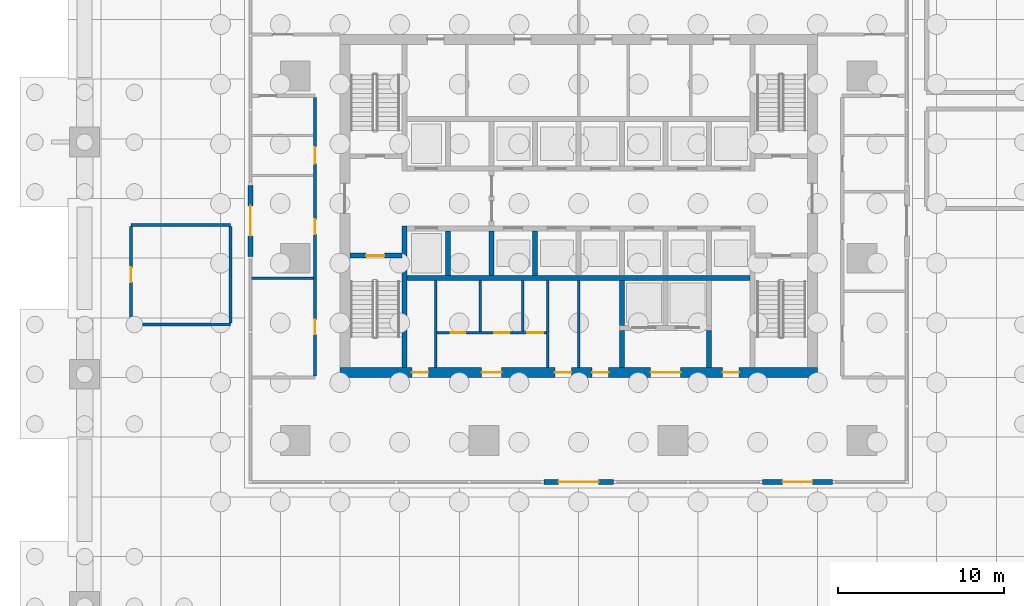
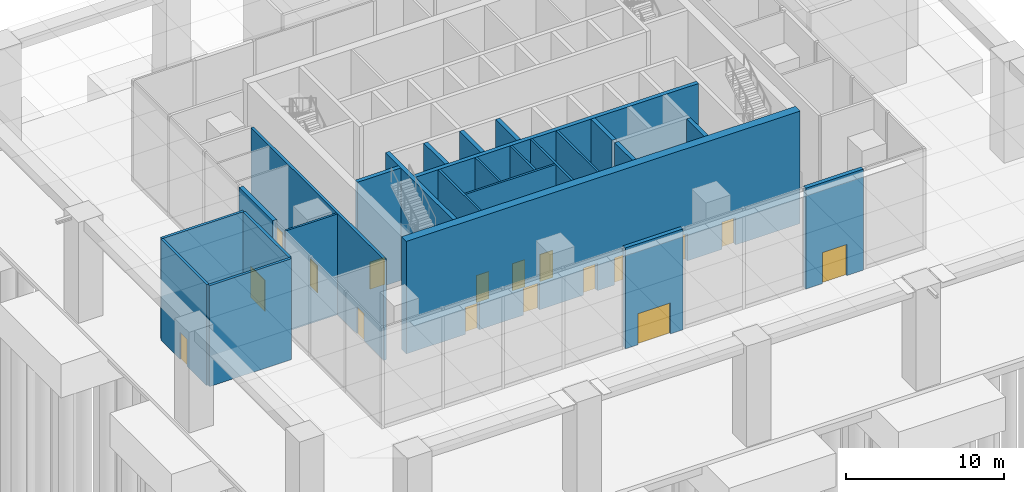
# One storey, part 6 of 18: 25 walls, 17 doors, 17 openings.
"""IFC4 building model written with IfcOpenShell, lengths in metres."""

from ifc_helpers import new_model, si_unit, direction, frame, frame_2d, origin, place, context, subcontext, project, spatial, rectangle, extrude, material, layer, layer_set, type_object, element, fill, save


model = new_model("IFC4")

# Units and contexts
model_context = context("Model", 3, precision=1e-05, world=origin(), true_north=direction((0.0, 1.0)))
body_context = subcontext(model_context, "Body", "Model", "MODEL_VIEW")
ifc_project = project(units=[si_unit("LENGTHUNIT", "METRE"), si_unit("AREAUNIT", "SQUARE_METRE"), si_unit("VOLUMEUNIT", "CUBIC_METRE"), si_unit("PLANEANGLEUNIT", "RADIAN"), si_unit("MASSUNIT", "GRAM", prefix="KILO")], contexts=[model_context])

# Site, building, storey
site_placement = place(None, origin())
site = spatial("IfcSite", under=ifc_project, at=site_placement, CompositionType="ELEMENT")
building_placement = place(site_placement, origin())
building = spatial("IfcBuilding", under=site, at=building_placement, Name="Mopane Tessera Tower", CompositionType="ELEMENT")
storey_placement = place(building_placement, origin())
storey = spatial("IfcBuildingStorey", under=building, at=storey_placement, Name="L00", CompositionType="ELEMENT", Elevation=0.0)

# Wall
ifc_material_1 = material(Name="Fire-rated gypsum board partition")
ifc_layer_1 = layer(ifc_material_1, 0.14990234375)
ifc_layer_set_1 = layer_set([ifc_layer_1], Name="Fire-rated gypsum board partition")
wall_type_1 = type_object("IfcWallType", Name="Core room partition 150 mm", PredefinedType="PARTITIONING", material=ifc_layer_set_1)
wall_1_placement = place(storey_placement, frame((-8.625, -6.60009765625, 0.0), z_axis=(0.0, 0.0, 1.0), x_axis=(0.0, 1.0, 0.0)))
element("IfcWall", 1, at=wall_1_placement, inside=storey, type_object=wall_type_1, Name="L00 Room partition", PredefinedType="PARTITIONING", context=body_context, shape_type="SweptSolid", body=[
    extrude(rectangle(XDim=5.25, YDim=0.14990234375, at=frame_2d((2.625, 0.0))), origin(), (0.0, 0.0, 1.0), 8.699951171875),
])

# Wall, openings, doors
wall_2_placement = place(storey_placement, frame((-8.550048828125, -4.5, 0.0), z_axis=(0.0, 0.0, 1.0), x_axis=(1.0, 0.0, 0.0)))
wall_2 = element("IfcWall", 2, at=wall_2_placement, inside=storey, type_object=wall_type_1, Name="L00 WC partition", PredefinedType="PARTITIONING", context=body_context, shape_type="SweptSolid", body=[
    extrude(rectangle(XDim=6.60009765625, YDim=0.14990234375, at=frame_2d((3.300048828125, 0.0))), origin(), (0.0, 0.0, 1.0), 8.699951171875),
])
opening_1_placement = place(wall_2_placement, frame((0.824951171875, 0.0, 0.0)))
opening_1 = element("IfcOpeningElement", 3, at=opening_1_placement, cuts=wall_2, Name="Opening WD1", PredefinedType="OPENING", context=body_context, shape_type="SweptSolid", body=[
    extrude(rectangle(XDim=0.89990234375, YDim=2.10009765625, at=frame_2d((0.449951171875, 1.050048828125))), frame((0.0, 0.0869140625, 0.0), z_axis=(0.0, -1.0, 0.0), x_axis=(1.0, 0.0, 0.0)), (0.0, 0.0, 1.0), 0.173828125),
])
opening_2_placement = place(wall_2_placement, frame((3.45751953125, 0.0, 0.0)))
opening_2 = element("IfcOpeningElement", 4, at=opening_2_placement, cuts=wall_2, Name="Opening WD1", PredefinedType="OPENING", context=body_context, shape_type="SweptSolid", body=[
    extrude(rectangle(XDim=0.89990234375, YDim=2.10009765625, at=frame_2d((0.449951171875, 1.050048828125))), frame((0.0, 0.0869140625, 0.0), z_axis=(0.0, -1.0, 0.0), x_axis=(1.0, 0.0, 0.0)), (0.0, 0.0, 1.0), 0.173828125),
])
opening_3_placement = place(wall_2_placement, frame((5.45751953125, 0.0, 0.0)))
opening_3 = element("IfcOpeningElement", 5, at=opening_3_placement, cuts=wall_2, Name="Opening WD2", PredefinedType="OPENING", context=body_context, shape_type="SweptSolid", body=[
    extrude(rectangle(XDim=0.949951171875, YDim=2.10009765625, at=frame_2d((0.47509765625, 1.050048828125))), frame((0.0, 0.0869140625, 0.0), z_axis=(0.0, -1.0, 0.0), x_axis=(1.0, 0.0, 0.0)), (0.0, 0.0, 1.0), 0.173828125),
])
ifc_material_2 = material(Name="Timber door", Category="wood")
door_type_1 = type_object("IfcDoorType", Name="Accessible WC door 950 x 2100", OperationType="SINGLE_SWING_LEFT", PredefinedType="DOOR", material=ifc_material_2)
door_1_placement = place(opening_3_placement, origin())
door_1 = element("IfcDoor", 6, at=door_1_placement, inside=storey, type_object=door_type_1, Name="L00 Accessible WC door", OperationType="SINGLE_SWING_LEFT", OverallHeight=2.10009765625, OverallWidth=0.949951171875, PredefinedType="DOOR", context=body_context, shape_type="SweptSolid", body=[
    extrude(rectangle(XDim=0.949951171875, YDim=2.10009765625, at=frame_2d((0.47509765625, 1.050048828125))), frame((0.0, 0.02490234375, 0.0), z_axis=(0.0, -1.0, 0.0), x_axis=(1.0, 0.0, 0.0)), (0.0, 0.0, 1.0), 0.050048828125),
])
fill(opening_3, door_1)
ifc_material_3 = material(Name="Timber door", Category="wood")
door_type_2 = type_object("IfcDoorType", Name="WC cubicle door 900 x 2100", OperationType="SINGLE_SWING_LEFT", PredefinedType="DOOR", material=ifc_material_3)
door_2_placement = place(opening_1_placement, origin())
door_2 = element("IfcDoor", 7, at=door_2_placement, inside=storey, type_object=door_type_2, Name="L00 Men's WC door", OperationType="SINGLE_SWING_LEFT", OverallHeight=2.10009765625, OverallWidth=0.89990234375, PredefinedType="DOOR", context=body_context, shape_type="SweptSolid", body=[
    extrude(rectangle(XDim=0.89990234375, YDim=2.10009765625, at=frame_2d((0.449951171875, 1.050048828125))), frame((0.0, 0.02490234375, 0.0), z_axis=(0.0, -1.0, 0.0), x_axis=(1.0, 0.0, 0.0)), (0.0, 0.0, 1.0), 0.050048828125),
])
fill(opening_1, door_2)
door_3_placement = place(opening_2_placement, origin())
door_3 = element("IfcDoor", 8, at=door_3_placement, inside=storey, type_object=door_type_2, Name="L00 Women's WC door", OperationType="SINGLE_SWING_LEFT", OverallHeight=2.10009765625, OverallWidth=0.89990234375, PredefinedType="DOOR", context=body_context, shape_type="SweptSolid", body=[
    extrude(rectangle(XDim=0.89990234375, YDim=2.10009765625, at=frame_2d((0.449951171875, 1.050048828125))), frame((0.0, 0.02490234375, 0.0), z_axis=(0.0, -1.0, 0.0), x_axis=(1.0, 0.0, 0.0)), (0.0, 0.0, 1.0), 0.050048828125),
])
fill(opening_2, door_3)

# Walls
for number, where, z_axis, x_axis, name in (
    (9, (-5.925048828125, -4.425048828125, 0.0), (0.0, 0.0, 1.0), (0.0, 1.0, 0.0), "L00 WC partition"),
    (10, (-3.360107421875, -4.425048828125, 0.0), (0.0, 0.0, 1.0), (0.0, 1.0, 0.0), "L00 WC partition"),
):
    element("IfcWall", number, at=place(storey_placement, frame(where, z_axis=z_axis, x_axis=x_axis)), inside=storey, type_object=wall_type_1, Name=name, PredefinedType="PARTITIONING", context=body_context, shape_type="SweptSolid", body=[
        extrude(rectangle(XDim=3.074951171875, YDim=0.14990234375, at=frame_2d((1.53759765625, 0.0))), origin(), (0.0, 0.0, 1.0), 8.699951171875),
    ])
for number, where, z_axis, x_axis, name in (
    (11, (-1.875, -6.60009765625, 0.0), (0.0, 0.0, 1.0), (0.0, 1.0, 0.0), "L00 Room partition"),
    (12, (0.0, -6.60009765625, 0.0), (0.0, 0.0, 1.0), (0.0, 1.0, 0.0), "L00 Room partition"),
):
    element("IfcWall", number, at=place(storey_placement, frame(where, z_axis=z_axis, x_axis=x_axis)), inside=storey, type_object=wall_type_1, Name=name, PredefinedType="PARTITIONING", context=body_context, shape_type="SweptSolid", body=[
        extrude(rectangle(XDim=5.25, YDim=0.14990234375, at=frame_2d((2.625, 0.0))), origin(), (0.0, 0.0, 1.0), 8.699951171875),
    ])

# Wall, openings, doors
ifc_material_4 = material(Name="Concrete C70/85", Category="concrete")
ifc_layer_2 = layer(ifc_material_4, 0.60009765625)
ifc_layer_set_2 = layer_set([ifc_layer_2], Name="Concrete C70/85")
wall_type_2 = type_object("IfcWallType", Name="Core shear wall 600 mm", PredefinedType="SHEAR", material=ifc_layer_set_2)
wall_3_placement = place(storey_placement, frame((-14.39990234375, -6.89990234375, 0.0), z_axis=(0.0, 0.0, 1.0), x_axis=(1.0, 0.0, 0.0)))
wall_3 = element("IfcWall", 13, at=wall_3_placement, inside=storey, type_object=wall_type_2, Name="L00 Core wall south", PredefinedType="SHEAR", context=body_context, shape_type="SweptSolid", body=[
    extrude(rectangle(XDim=28.7998046875, YDim=0.60009765625, at=frame_2d((14.39990234375, 0.0))), origin(), (0.0, 0.0, 1.0), 8.699951171875),
])
opening_4_placement = place(wall_3_placement, frame((4.33740234375, 0.0, 0.0)))
opening_4 = element("IfcOpeningElement", 14, at=opening_4_placement, cuts=wall_3, Name="Opening RD1", PredefinedType="OPENING", context=body_context, shape_type="SweptSolid", body=[
    extrude(rectangle(XDim=1.0, YDim=2.10009765625, at=frame_2d((0.5, 1.050048828125))), frame((0.0, 0.31201171875, 0.0), z_axis=(0.0, -1.0, 0.0), x_axis=(1.0, 0.0, 0.0)), (0.0, 0.0, 1.0), 0.6240234375),
])
opening_5_placement = place(wall_3_placement, frame((8.550048828125, 0.0, 0.0)))
opening_5 = element("IfcOpeningElement", 15, at=opening_5_placement, cuts=wall_3, Name="Opening WD3", PredefinedType="OPENING", context=body_context, shape_type="SweptSolid", body=[
    extrude(rectangle(XDim=1.199951171875, YDim=2.10009765625, at=frame_2d((0.60009765625, 1.050048828125))), frame((0.0, 0.31201171875, 0.0), z_axis=(0.0, -1.0, 0.0), x_axis=(1.0, 0.0, 0.0)), (0.0, 0.0, 1.0), 0.6240234375),
])
opening_6_placement = place(wall_3_placement, frame((12.96240234375, 0.0, 0.0)))
opening_6 = element("IfcOpeningElement", 16, at=opening_6_placement, cuts=wall_3, Name="Opening RD1", PredefinedType="OPENING", context=body_context, shape_type="SweptSolid", body=[
    extrude(rectangle(XDim=1.0, YDim=2.10009765625, at=frame_2d((0.5, 1.050048828125))), frame((0.0, 0.31201171875, 0.0), z_axis=(0.0, -1.0, 0.0), x_axis=(1.0, 0.0, 0.0)), (0.0, 0.0, 1.0), 0.6240234375),
])
opening_7_placement = place(wall_3_placement, frame((15.21240234375, 0.0, 0.0)))
opening_7 = element("IfcOpeningElement", 17, at=opening_7_placement, cuts=wall_3, Name="Opening RD1", PredefinedType="OPENING", context=body_context, shape_type="SweptSolid", body=[
    extrude(rectangle(XDim=1.0, YDim=2.10009765625, at=frame_2d((0.5, 1.050048828125))), frame((0.0, 0.31201171875, 0.0), z_axis=(0.0, -1.0, 0.0), x_axis=(1.0, 0.0, 0.0)), (0.0, 0.0, 1.0), 0.6240234375),
])
opening_8_placement = place(wall_3_placement, frame((18.75, 0.0, 0.0)))
opening_8 = element("IfcOpeningElement", 18, at=opening_8_placement, cuts=wall_3, Name="Opening SD2", PredefinedType="OPENING", context=body_context, shape_type="SweptSolid", body=[
    extrude(rectangle(XDim=1.800048828125, YDim=2.10009765625, at=frame_2d((0.89990234375, 1.050048828125))), frame((0.0, 0.31201171875, 0.0), z_axis=(0.0, -1.0, 0.0), x_axis=(1.0, 0.0, 0.0)), (0.0, 0.0, 1.0), 0.6240234375),
])
opening_9_placement = place(wall_3_placement, frame((23.08740234375, 0.0, 0.0)))
opening_9 = element("IfcOpeningElement", 19, at=opening_9_placement, cuts=wall_3, Name="Opening RD1", PredefinedType="OPENING", context=body_context, shape_type="SweptSolid", body=[
    extrude(rectangle(XDim=1.0, YDim=2.10009765625, at=frame_2d((0.5, 1.050048828125))), frame((0.0, 0.31201171875, 0.0), z_axis=(0.0, -1.0, 0.0), x_axis=(1.0, 0.0, 0.0)), (0.0, 0.0, 1.0), 0.6240234375),
])
ifc_material_5 = material(Name="Steel fire door", Category="steel")
door_type_3 = type_object("IfcDoorType", Name="Core entrance double door 1800 x 2100", OperationType="DOUBLE_DOOR_SINGLE_SWING", PredefinedType="DOOR", material=ifc_material_5)
door_4_placement = place(opening_8_placement, origin())
door_4 = element("IfcDoor", 20, at=door_4_placement, inside=storey, type_object=door_type_3, Name="L00 Service lobby door", OperationType="DOUBLE_DOOR_SINGLE_SWING", OverallHeight=2.10009765625, OverallWidth=1.800048828125, PredefinedType="DOOR", context=body_context, shape_type="SweptSolid", body=[
    extrude(rectangle(XDim=1.800048828125, YDim=2.10009765625, at=frame_2d((0.89990234375, 1.050048828125))), frame((0.0, 0.02490234375, 0.0), z_axis=(0.0, -1.0, 0.0), x_axis=(1.0, 0.0, 0.0)), (0.0, 0.0, 1.0), 0.050048828125),
])
fill(opening_8, door_4)
ifc_material_6 = material(Name="Timber door", Category="wood")
door_type_4 = type_object("IfcDoorType", Name="Core room door 1000 x 2100", OperationType="SINGLE_SWING_LEFT", PredefinedType="DOOR", material=ifc_material_6)
door_5_placement = place(opening_4_placement, origin())
door_5 = element("IfcDoor", 21, at=door_5_placement, inside=storey, type_object=door_type_4, Name="L00 Room door", OperationType="SINGLE_SWING_LEFT", OverallHeight=2.10009765625, OverallWidth=1.0, PredefinedType="DOOR", context=body_context, shape_type="SweptSolid", body=[
    extrude(rectangle(XDim=1.0, YDim=2.10009765625, at=frame_2d((0.5, 1.050048828125))), frame((0.0, 0.02490234375, 0.0), z_axis=(0.0, -1.0, 0.0), x_axis=(1.0, 0.0, 0.0)), (0.0, 0.0, 1.0), 0.050048828125),
])
fill(opening_4, door_5)
door_6_placement = place(opening_6_placement, origin())
door_6 = element("IfcDoor", 22, at=door_6_placement, inside=storey, type_object=door_type_4, Name="L00 Room door", OperationType="SINGLE_SWING_LEFT", OverallHeight=2.10009765625, OverallWidth=1.0, PredefinedType="DOOR", context=body_context, shape_type="SweptSolid", body=[
    extrude(rectangle(XDim=1.0, YDim=2.10009765625, at=frame_2d((0.5, 1.050048828125))), frame((0.0, 0.02490234375, 0.0), z_axis=(0.0, -1.0, 0.0), x_axis=(1.0, 0.0, 0.0)), (0.0, 0.0, 1.0), 0.050048828125),
])
fill(opening_6, door_6)
door_7_placement = place(opening_7_placement, origin())
door_7 = element("IfcDoor", 23, at=door_7_placement, inside=storey, type_object=door_type_4, Name="L00 Room door", OperationType="SINGLE_SWING_LEFT", OverallHeight=2.10009765625, OverallWidth=1.0, PredefinedType="DOOR", context=body_context, shape_type="SweptSolid", body=[
    extrude(rectangle(XDim=1.0, YDim=2.10009765625, at=frame_2d((0.5, 1.050048828125))), frame((0.0, 0.02490234375, 0.0), z_axis=(0.0, -1.0, 0.0), x_axis=(1.0, 0.0, 0.0)), (0.0, 0.0, 1.0), 0.050048828125),
])
fill(opening_7, door_7)
door_8_placement = place(opening_9_placement, origin())
door_8 = element("IfcDoor", 24, at=door_8_placement, inside=storey, type_object=door_type_4, Name="L00 Room door", OperationType="SINGLE_SWING_LEFT", OverallHeight=2.10009765625, OverallWidth=1.0, PredefinedType="DOOR", context=body_context, shape_type="SweptSolid", body=[
    extrude(rectangle(XDim=1.0, YDim=2.10009765625, at=frame_2d((0.5, 1.050048828125))), frame((0.0, 0.02490234375, 0.0), z_axis=(0.0, -1.0, 0.0), x_axis=(1.0, 0.0, 0.0)), (0.0, 0.0, 1.0), 0.050048828125),
])
fill(opening_9, door_8)
ifc_material_7 = material(Name="Timber door", Category="wood")
door_type_5 = type_object("IfcDoorType", Name="WC lobby door 1200 x 2100", OperationType="SINGLE_SWING_LEFT", PredefinedType="DOOR", material=ifc_material_7)
door_9_placement = place(opening_5_placement, origin())
door_9 = element("IfcDoor", 25, at=door_9_placement, inside=storey, type_object=door_type_5, Name="L00 WC lobby door", OperationType="SINGLE_SWING_LEFT", OverallHeight=2.10009765625, OverallWidth=1.199951171875, PredefinedType="DOOR", context=body_context, shape_type="SweptSolid", body=[
    extrude(rectangle(XDim=1.199951171875, YDim=2.10009765625, at=frame_2d((0.60009765625, 1.050048828125))), frame((0.0, 0.02490234375, 0.0), z_axis=(0.0, -1.0, 0.0), x_axis=(1.0, 0.0, 0.0)), (0.0, 0.0, 1.0), 0.050048828125),
])
fill(opening_5, door_9)

# Walls
ifc_material_8 = material(Name="Concrete C60/75", Category="concrete")
ifc_layer_3 = layer(ifc_material_8, 0.300048828125)
ifc_layer_set_3 = layer_set([ifc_layer_3], Name="Concrete C60/75")
wall_type_3 = type_object("IfcWallType", Name="Core spine wall 300 mm", PredefinedType="SHEAR", material=ifc_layer_set_3)
wall_4_placement = place(storey_placement, frame((-10.5, -6.60009765625, 0.0), z_axis=(0.0, 0.0, 1.0), x_axis=(0.0, 1.0, 0.0)))
element("IfcWall", 26, at=wall_4_placement, inside=storey, type_object=wall_type_3, Name="L00 Core spine wall", PredefinedType="SHEAR", context=body_context, shape_type="SweptSolid", body=[
    extrude(rectangle(XDim=8.550048828125, YDim=0.300048828125, at=frame_2d((4.27490234375, 0.0))), origin(), (0.0, 0.0, 1.0), 8.699951171875),
])
ifc_material_9 = material(Name="Gypsum board on steel studs, two layers each face, mineral wool infill", Category="steel")
ifc_layer_4 = layer(ifc_material_9, 0.199951171875)
ifc_layer_set_4 = layer_set([ifc_layer_4], Name="Gypsum board on steel studs, two layers each face, mineral wool infill")
wall_type_4 = type_object("IfcWallType", Name="Gypsum board corridor wall 200, rated EI 60", PredefinedType="PARTITIONING", material=ifc_layer_set_4)
for number, where, z_axis, x_axis, name in (
    (27, (-27.0, -4.0, 0.0), (0.0, 0.0, 1.0), (1.0, 0.0, 0.0), "Partition L00:002"),
    (28, (-27.0, 2.0, 0.0), (0.0, 0.0, 1.0), (1.0, 0.0, 0.0), "Partition L00:005"),
):
    element("IfcWall", number, at=place(storey_placement, frame(where, z_axis=z_axis, x_axis=x_axis)), inside=storey, type_object=wall_type_4, Name=name, PredefinedType="PARTITIONING", context=body_context, shape_type="SweptSolid", body=[
        extrude(rectangle(XDim=6.0, YDim=0.199951171875, at=frame_2d((3.0, 0.0))), origin(), (0.0, 0.0, 1.0), 7.800048828125),
    ])

# Wall, opening, door
wall_5_placement = place(storey_placement, frame((-27.0, -3.89990234375, 0.0), z_axis=(0.0, 0.0, 1.0), x_axis=(0.0, 1.0, 0.0)))
wall_5 = element("IfcWall", 29, at=wall_5_placement, inside=storey, type_object=wall_type_4, Name="Partition L00:020", PredefinedType="PARTITIONING", context=body_context, shape_type="SweptSolid", body=[
    extrude(rectangle(XDim=5.7998046875, YDim=0.199951171875, at=frame_2d((2.89990234375, 0.0))), origin(), (0.0, 0.0, 1.0), 7.800048828125),
])
opening_10_placement = place(wall_5_placement, frame((2.449951171875, 0.0, 0.0)))
opening_10 = element("IfcOpeningElement", 30, at=opening_10_placement, cuts=wall_5, Name="Opening L00-06", PredefinedType="OPENING", context=body_context, shape_type="SweptSolid", body=[
    extrude(rectangle(XDim=0.89990234375, YDim=2.10009765625, at=frame_2d((0.449951171875, 1.050048828125))), frame((0.0, 0.112060546875, 0.0), z_axis=(0.0, -1.0, 0.0), x_axis=(1.0, 0.0, 0.0)), (0.0, 0.0, 1.0), 0.223876953125),
])
ifc_material_10 = material(Name="Timber veneered steel-framed fire door", Category="steel")
door_type_6 = type_object("IfcDoorType", Name="Fire door FD60 900 x 2100", OperationType="SINGLE_SWING_LEFT", PredefinedType="DOOR", material=ifc_material_10)
door_10_placement = place(opening_10_placement, origin())
door_10 = element("IfcDoor", 31, at=door_10_placement, inside=storey, type_object=door_type_6, Name="Door L00-06", ObjectType="D10A", OperationType="SINGLE_SWING_LEFT", OverallHeight=2.10009765625, OverallWidth=0.89990234375, PredefinedType="DOOR", context=body_context, shape_type="SweptSolid", body=[
    extrude(rectangle(XDim=0.89990234375, YDim=2.10009765625, at=frame_2d((0.449951171875, 1.050048828125))), frame((0.0, 0.02490234375, 0.0), z_axis=(0.0, -1.0, 0.0), x_axis=(1.0, 0.0, 0.0)), (0.0, 0.0, 1.0), 0.050048828125),
])
fill(opening_10, door_10)

# Wall
wall_6_placement = place(storey_placement, frame((-21.0, -3.89990234375, 0.0), z_axis=(0.0, 0.0, 1.0), x_axis=(0.0, 1.0, 0.0)))
element("IfcWall", 32, at=wall_6_placement, inside=storey, type_object=wall_type_4, Name="Partition L00:021", PredefinedType="PARTITIONING", context=body_context, shape_type="SweptSolid", body=[
    extrude(rectangle(XDim=5.7998046875, YDim=0.199951171875, at=frame_2d((2.89990234375, 0.0))), origin(), (0.0, 0.0, 1.0), 7.800048828125),
])

# Wall, openings, doors
wall_7_placement = place(storey_placement, frame((-15.89990234375, -7.10009765625, 0.0), z_axis=(0.0, 0.0, 1.0), x_axis=(0.0, 1.0, 0.0)))
wall_7 = element("IfcWall", 33, at=wall_7_placement, inside=storey, type_object=wall_type_4, Name="Partition L00:022", PredefinedType="PARTITIONING", context=body_context, shape_type="SweptSolid", body=[
    extrude(rectangle(XDim=16.800048828125, YDim=0.199951171875, at=frame_2d((8.39990234375, 0.0))), origin(), (0.0, 0.0, 1.0), 7.800048828125),
])
opening_11_placement = place(wall_7_placement, frame((12.800048828125, 0.0, 0.0)))
opening_11 = element("IfcOpeningElement", 34, at=opening_11_placement, cuts=wall_7, Name="Opening L00-01", PredefinedType="OPENING", context=body_context, shape_type="SweptSolid", body=[
    extrude(rectangle(XDim=1.0, YDim=2.10009765625, at=frame_2d((0.5, 1.050048828125))), frame((0.0, 0.112060546875, 0.0), z_axis=(0.0, -1.0, 0.0), x_axis=(1.0, 0.0, 0.0)), (0.0, 0.0, 1.0), 0.223876953125),
])
opening_12_placement = place(wall_7_placement, frame((8.550048828125, 0.0, 0.0)))
opening_12 = element("IfcOpeningElement", 35, at=opening_12_placement, cuts=wall_7, Name="Opening L00-07", PredefinedType="OPENING", context=body_context, shape_type="SweptSolid", body=[
    extrude(rectangle(XDim=0.89990234375, YDim=2.10009765625, at=frame_2d((0.449951171875, 1.050048828125))), frame((0.0, 0.112060546875, 0.0), z_axis=(0.0, -1.0, 0.0), x_axis=(1.0, 0.0, 0.0)), (0.0, 0.0, 1.0), 0.223876953125),
])
opening_13_placement = place(wall_7_placement, frame((2.5, 0.0, 0.0)))
opening_13 = element("IfcOpeningElement", 36, at=opening_13_placement, cuts=wall_7, Name="Opening L00-10", PredefinedType="OPENING", context=body_context, shape_type="SweptSolid", body=[
    extrude(rectangle(XDim=0.89990234375, YDim=2.10009765625, at=frame_2d((0.449951171875, 1.050048828125))), frame((0.0, 0.112060546875, 0.0), z_axis=(0.0, -1.0, 0.0), x_axis=(1.0, 0.0, 0.0)), (0.0, 0.0, 1.0), 0.223876953125),
])
ifc_material_11 = material(Name="Timber veneered steel-framed fire door", Category="steel")
door_type_7 = type_object("IfcDoorType", Name="Fire door FD60 1000 x 2100", OperationType="SINGLE_SWING_LEFT", PredefinedType="DOOR", material=ifc_material_11)
door_11_placement = place(opening_11_placement, origin())
door_11 = element("IfcDoor", 37, at=door_11_placement, inside=storey, type_object=door_type_7, Name="Door L00-01", ObjectType="D12A", OperationType="SINGLE_SWING_RIGHT", OverallHeight=2.10009765625, OverallWidth=1.0, PredefinedType="DOOR", context=body_context, shape_type="SweptSolid", body=[
    extrude(rectangle(XDim=1.0, YDim=2.10009765625, at=frame_2d((0.5, 1.050048828125))), frame((0.0, 0.02490234375, 0.0), z_axis=(0.0, -1.0, 0.0), x_axis=(1.0, 0.0, 0.0)), (0.0, 0.0, 1.0), 0.050048828125),
])
fill(opening_11, door_11)
door_12_placement = place(opening_12_placement, origin())
door_12 = element("IfcDoor", 38, at=door_12_placement, inside=storey, type_object=door_type_6, Name="Door L00-07", ObjectType="D10A", OperationType="SINGLE_SWING_RIGHT", OverallHeight=2.10009765625, OverallWidth=0.89990234375, PredefinedType="DOOR", context=body_context, shape_type="SweptSolid", body=[
    extrude(rectangle(XDim=0.89990234375, YDim=2.10009765625, at=frame_2d((0.449951171875, 1.050048828125))), frame((0.0, 0.02490234375, 0.0), z_axis=(0.0, -1.0, 0.0), x_axis=(1.0, 0.0, 0.0)), (0.0, 0.0, 1.0), 0.050048828125),
])
fill(opening_12, door_12)
door_13_placement = place(opening_13_placement, origin())
door_13 = element("IfcDoor", 39, at=door_13_placement, inside=storey, type_object=door_type_6, Name="Door L00-10", ObjectType="D10A", OperationType="SINGLE_SWING_LEFT", OverallHeight=2.10009765625, OverallWidth=0.89990234375, PredefinedType="DOOR", context=body_context, shape_type="SweptSolid", body=[
    extrude(rectangle(XDim=0.89990234375, YDim=2.10009765625, at=frame_2d((0.449951171875, 1.050048828125))), frame((0.0, 0.02490234375, 0.0), z_axis=(0.0, -1.0, 0.0), x_axis=(1.0, 0.0, 0.0)), (0.0, 0.0, 1.0), 0.050048828125),
])
fill(opening_13, door_13)

# Wall
ifc_material_12 = material(Name="Gypsum board on steel studs, mineral wool infill", Category="steel")
ifc_layer_5 = layer(ifc_material_12, 0.14990234375)
ifc_layer_set_5 = layer_set([ifc_layer_5], Name="Gypsum board on steel studs, mineral wool infill")
wall_type_5 = type_object("IfcWallType", Name="Gypsum board partition 150, rated EI 60", PredefinedType="PARTITIONING", material=ifc_layer_set_5)
wall_8_placement = place(storey_placement, frame((-19.800048828125, -1.199951171875, 0.0), z_axis=(0.0, 0.0, 1.0), x_axis=(1.0, 0.0, 0.0)))
element("IfcWall", 40, at=wall_8_placement, inside=storey, type_object=wall_type_5, Name="Partition L00:004", PredefinedType="PARTITIONING", context=body_context, shape_type="SweptSolid", body=[
    extrude(rectangle(XDim=3.800048828125, YDim=0.14990234375, at=frame_2d((1.89990234375, 0.0))), origin(), (0.0, 0.0, 1.0), 7.800048828125),
])

# Wall, opening, door
ifc_material_13 = material(Name="Concrete C50/60", Category="concrete")
ifc_layer_6 = layer(ifc_material_13, 0.300048828125)
ifc_layer_set_6 = layer_set([ifc_layer_6], Name="Concrete C50/60")
wall_type_6 = type_object("IfcWallType", Name="Lift and stair shaft wall 300 mm", PredefinedType="SOLIDWALL", material=ifc_layer_set_6)
wall_9_placement = place(storey_placement, frame((-13.800048828125, 0.14990234375, 0.0), z_axis=(0.0, 0.0, 1.0), x_axis=(1.0, 0.0, 0.0)))
wall_9 = element("IfcWall", 41, at=wall_9_placement, inside=storey, type_object=wall_type_6, Name="L00 Stair enclosure wall", PredefinedType="SOLIDWALL", context=body_context, shape_type="SweptSolid", body=[
    extrude(rectangle(XDim=3.150146484375, YDim=0.300048828125, at=frame_2d((1.5751953125, 0.0))), origin(), (0.0, 0.0, 1.0), 8.699951171875),
])
opening_14_placement = place(wall_9_placement, frame((0.97509765625, 0.0, 0.0)))
opening_14 = element("IfcOpeningElement", 42, at=opening_14_placement, cuts=wall_9, Name="Opening SD1", PredefinedType="OPENING", context=body_context, shape_type="SweptSolid", body=[
    extrude(rectangle(XDim=1.10009765625, YDim=2.10009765625, at=frame_2d((0.550048828125, 1.050048828125))), frame((0.0, 0.162109375, 0.0), z_axis=(0.0, -1.0, 0.0), x_axis=(1.0, 0.0, 0.0)), (0.0, 0.0, 1.0), 0.323974609375),
])
ifc_material_14 = material(Name="Steel fire door", Category="steel")
door_type_8 = type_object("IfcDoorType", Name="Stair fire door 1100 x 2100", OperationType="SINGLE_SWING_LEFT", PredefinedType="DOOR", material=ifc_material_14)
door_14_placement = place(opening_14_placement, origin())
door_14 = element("IfcDoor", 43, at=door_14_placement, inside=storey, type_object=door_type_8, Name="L00 Stair door ST1", OperationType="SINGLE_SWING_LEFT", OverallHeight=2.10009765625, OverallWidth=1.10009765625, PredefinedType="DOOR", context=body_context, shape_type="SweptSolid", body=[
    extrude(rectangle(XDim=1.10009765625, YDim=2.10009765625, at=frame_2d((0.550048828125, 1.050048828125))), frame((0.0, 0.02490234375, 0.0), z_axis=(0.0, -1.0, 0.0), x_axis=(1.0, 0.0, 0.0)), (0.0, 0.0, 1.0), 0.050048828125),
])
fill(opening_14, door_14)

# Walls
wall_10_placement = place(storey_placement, frame((-10.35009765625, -1.199951171875, -1.800048828125), z_axis=(0.0, 0.0, 1.0), x_axis=(1.0, 0.0, 0.0)))
element("IfcWall", 44, at=wall_10_placement, inside=storey, type_object=wall_type_6, Name="L00 Lift shaft rear wall", PredefinedType="SOLIDWALL", context=body_context, shape_type="SweptSolid", body=[
    extrude(rectangle(XDim=20.7001953125, YDim=0.300048828125, at=frame_2d((10.35009765625, 0.0))), origin(), (0.0, 0.0, 1.0), 10.5),
])
for number, where, z_axis, x_axis, name in (
    (45, (-7.875, -1.050048828125, -1.800048828125), (0.0, 0.0, 1.0), (0.0, 1.0, 0.0), "L00 Lift shaft wall"),
    (46, (-5.25, -1.050048828125, -1.800048828125), (0.0, 0.0, 1.0), (0.0, 1.0, 0.0), "L00 Lift shaft wall"),
    (47, (-2.625, -1.050048828125, -1.800048828125), (0.0, 0.0, 1.0), (0.0, 1.0, 0.0), "L00 Lift shaft wall"),
    (48, (2.625, -4.050048828125, -1.800048828125), (0.0, 0.0, 1.0), (0.0, 1.0, 0.0), "L00 Lift shaft wall"),
):
    element("IfcWall", number, at=place(storey_placement, frame(where, z_axis=z_axis, x_axis=x_axis)), inside=storey, type_object=wall_type_6, Name=name, PredefinedType="SOLIDWALL", context=body_context, shape_type="SweptSolid", body=[
        extrude(rectangle(XDim=2.699951171875, YDim=0.300048828125, at=frame_2d((1.35009765625, 0.0))), origin(), (0.0, 0.0, 1.0), 10.5),
    ])
ifc_material_15 = material(Name="Concrete C50/60", Category="concrete")
ifc_layer_7 = layer(ifc_material_15, 0.300048828125)
ifc_layer_set_7 = layer_set([ifc_layer_7], Name="Concrete C50/60")
wall_type_7 = type_object("IfcWallType", Name="Lobby and refuge room wall 300 mm", PredefinedType="SOLIDWALL", material=ifc_layer_set_7)
for number, where, z_axis, x_axis, name in (
    (49, (2.625, -6.60009765625, 0.0), (0.0, 0.0, 1.0), (0.0, 1.0, 0.0), "L00 Service lobby wall"),
    (50, (7.875, -6.60009765625, 0.0), (0.0, 0.0, 1.0), (0.0, 1.0, 0.0), "L00 Service lobby wall"),
):
    element("IfcWall", number, at=place(storey_placement, frame(where, z_axis=z_axis, x_axis=x_axis)), inside=storey, type_object=wall_type_7, Name=name, PredefinedType="SOLIDWALL", context=body_context, shape_type="SweptSolid", body=[
        extrude(rectangle(XDim=2.25, YDim=0.300048828125, at=frame_2d((1.125, 0.0))), origin(), (0.0, 0.0, 1.0), 8.699951171875),
    ])

# Wall, opening, door
ifc_material_16 = material(Name="Blockwork with glazed tile facing", Category="masonry")
ifc_layer_8 = layer(ifc_material_16, 0.300048828125)
ifc_layer_set_8 = layer_set([ifc_layer_8], Name="Blockwork with glazed tile facing")
wall_type_8 = type_object("IfcWallType", Name="Tile-clad portal wall 300", PredefinedType="STANDARD", material=ifc_layer_set_8)
wall_11_placement = place(storey_placement, frame((-2.10009765625, -13.5, 0.0), z_axis=(0.0, 0.0, 1.0), x_axis=(1.0, 0.0, 0.0)))
wall_11 = element("IfcWall", 51, at=wall_11_placement, inside=storey, type_object=wall_type_8, Name="e:pp:S:4", PredefinedType="STANDARD", context=body_context, shape_type="SweptSolid", body=[
    extrude(rectangle(XDim=4.2001953125, YDim=0.300048828125, at=frame_2d((2.10009765625, 0.0))), origin(), (0.0, 0.0, 1.0), 7.800048828125),
])
opening_15_placement = place(wall_11_placement, frame((0.89990234375, 0.0, 0.0)))
opening_15 = element("IfcOpeningElement", 52, at=opening_15_placement, cuts=wall_11, Name="Opening PDS4", PredefinedType="OPENING", context=body_context, shape_type="SweptSolid", body=[
    extrude(rectangle(XDim=2.39990234375, YDim=2.39990234375, at=frame_2d((1.199951171875, 1.199951171875))), frame((0.0, 0.162109375, 0.0), z_axis=(0.0, -1.0, 0.0), x_axis=(1.0, 0.0, 0.0)), (0.0, 0.0, 1.0), 0.323974609375),
])
ifc_material_17 = material(Name="Aluminium and clear glass", Category="aluminium")
door_type_9 = type_object("IfcDoorType", Name="Entrance double door 2400 x 2400", OperationType="DOUBLE_DOOR_SINGLE_SWING", PredefinedType="DOOR", material=ifc_material_17)
door_15_placement = place(opening_15_placement, origin())
door_15 = element("IfcDoor", 53, at=door_15_placement, inside=storey, type_object=door_type_9, Name="Main entrance", ObjectType="D3", OperationType="DOUBLE_DOOR_SINGLE_SWING", OverallHeight=2.39990234375, OverallWidth=2.39990234375, PredefinedType="DOOR", context=body_context, shape_type="SweptSolid", body=[
    extrude(rectangle(XDim=2.39990234375, YDim=2.39990234375, at=frame_2d((1.199951171875, 1.199951171875))), frame((0.0, 0.02490234375, 0.0), z_axis=(0.0, -1.0, 0.0), x_axis=(1.0, 0.0, 0.0)), (0.0, 0.0, 1.0), 0.050048828125),
])
fill(opening_15, door_15)

wall_12_placement = place(storey_placement, frame((11.10009765625, -13.5, 0.0), z_axis=(0.0, 0.0, 1.0), x_axis=(1.0, 0.0, 0.0)))
wall_12 = element("IfcWall", 54, at=wall_12_placement, inside=storey, type_object=wall_type_8, Name="e:pp:S:7", PredefinedType="STANDARD", context=body_context, shape_type="SweptSolid", body=[
    extrude(rectangle(XDim=4.199951171875, YDim=0.300048828125, at=frame_2d((2.10009765625, 0.0))), origin(), (0.0, 0.0, 1.0), 7.800048828125),
])
opening_16_placement = place(wall_12_placement, frame((1.199951171875, 0.0, 0.0)))
opening_16 = element("IfcOpeningElement", 55, at=opening_16_placement, cuts=wall_12, Name="Opening PDS7", PredefinedType="OPENING", context=body_context, shape_type="SweptSolid", body=[
    extrude(rectangle(XDim=1.800048828125, YDim=2.39990234375, at=frame_2d((0.89990234375, 1.199951171875))), frame((0.0, 0.162109375, 0.0), z_axis=(0.0, -1.0, 0.0), x_axis=(1.0, 0.0, 0.0)), (0.0, 0.0, 1.0), 0.323974609375),
])
ifc_material_18 = material(Name="Aluminium and clear glass", Category="aluminium")
door_type_10 = type_object("IfcDoorType", Name="Entrance door 1800 x 2400", OperationType="DOUBLE_DOOR_SINGLE_SWING", PredefinedType="DOOR", material=ifc_material_18)
door_16_placement = place(opening_16_placement, origin())
door_16 = element("IfcDoor", 56, at=door_16_placement, inside=storey, type_object=door_type_10, Name="South-east entrance", ObjectType="D4", OperationType="DOUBLE_DOOR_SINGLE_SWING", OverallHeight=2.39990234375, OverallWidth=1.800048828125, PredefinedType="DOOR", context=body_context, shape_type="SweptSolid", body=[
    extrude(rectangle(XDim=1.800048828125, YDim=2.39990234375, at=frame_2d((0.89990234375, 1.199951171875))), frame((0.0, 0.02490234375, 0.0), z_axis=(0.0, -1.0, 0.0), x_axis=(1.0, 0.0, 0.0)), (0.0, 0.0, 1.0), 0.050048828125),
])
fill(opening_16, door_16)

wall_13_placement = place(storey_placement, frame((-19.800048828125, 0.1142578125, 0.0), z_axis=(0.0, 0.0, 1.0), x_axis=(0.0, 1.0, 0.0)))
wall_13 = element("IfcWall", 57, at=wall_13_placement, inside=storey, type_object=wall_type_8, Name="e:pp:W:3", PredefinedType="STANDARD", context=body_context, shape_type="SweptSolid", body=[
    extrude(rectangle(XDim=4.271484375, YDim=0.300048828125, at=frame_2d((2.1357421875, 0.0))), origin(), (0.0, 0.0, 1.0), 7.800048828125),
])
opening_17_placement = place(wall_13_placement, frame((1.235595703125, 0.0, 0.0)))
opening_17 = element("IfcOpeningElement", 58, at=opening_17_placement, cuts=wall_13, Name="Opening PDW3", PredefinedType="OPENING", context=body_context, shape_type="SweptSolid", body=[
    extrude(rectangle(XDim=1.800048828125, YDim=2.39990234375, at=frame_2d((0.89990234375, 1.199951171875))), frame((0.0, 0.162109375, 0.0), z_axis=(0.0, -1.0, 0.0), x_axis=(1.0, 0.0, 0.0)), (0.0, 0.0, 1.0), 0.323974609375),
])
door_17_placement = place(opening_17_placement, origin())
door_17 = element("IfcDoor", 59, at=door_17_placement, inside=storey, type_object=door_type_10, Name="West entrance", ObjectType="D4", OperationType="DOUBLE_DOOR_SINGLE_SWING", OverallHeight=2.39990234375, OverallWidth=1.800048828125, PredefinedType="DOOR", context=body_context, shape_type="SweptSolid", body=[
    extrude(rectangle(XDim=1.800048828125, YDim=2.39990234375, at=frame_2d((0.89990234375, 1.199951171875))), frame((0.0, 0.02490234375, 0.0), z_axis=(0.0, -1.0, 0.0), x_axis=(1.0, 0.0, 0.0)), (0.0, 0.0, 1.0), 0.050048828125),
])
fill(opening_17, door_17)

save(model, "model.ifc")
